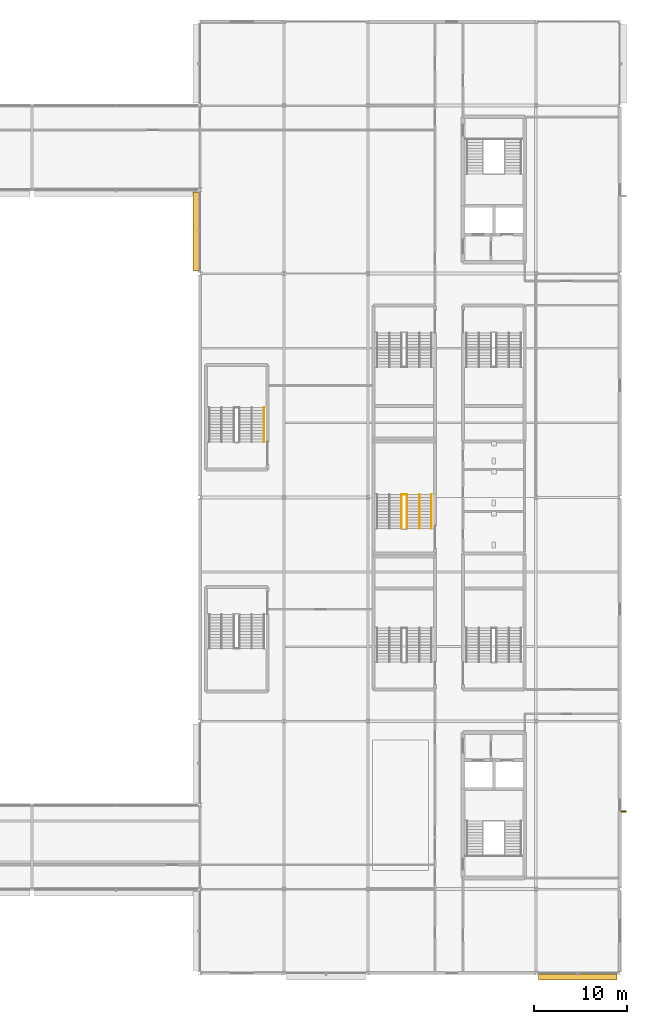
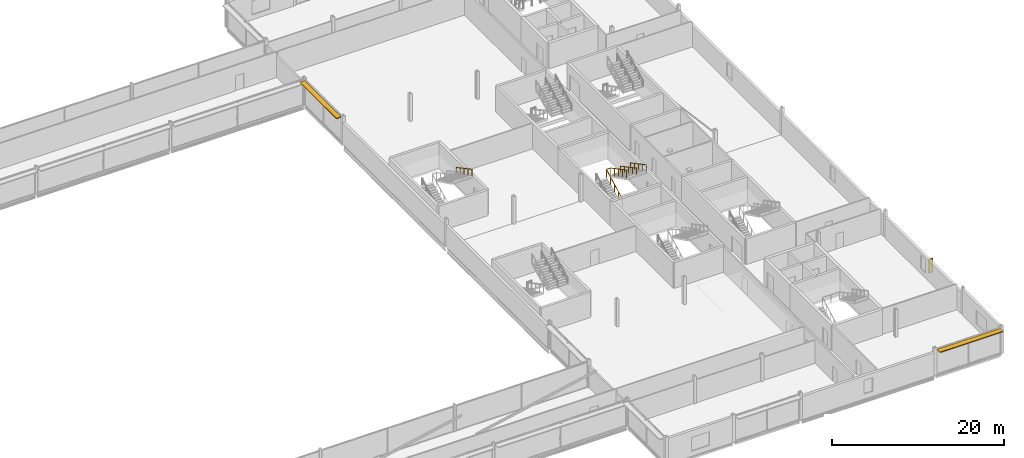
# One storey, part 95 of 98: 4 railings, 3 shading devices.
"""IFC4 building model written with IfcOpenShell, lengths in metres."""

from ifc_helpers import new_model, si_unit, direction, frame, origin, origin_2d, place, context, subcontext, project, spatial, rectangle, circle, extrude, material, type_object, element, save


model = new_model("IFC4")

# Units and contexts
model_context = context("Model", 3, precision=1e-05, world=origin(), true_north=direction((0.0, 1.0)))
body_context = subcontext(model_context, "Body", "Model", "MODEL_VIEW")
ifc_project = project(units=[si_unit("LENGTHUNIT", "METRE"), si_unit("AREAUNIT", "SQUARE_METRE"), si_unit("VOLUMEUNIT", "CUBIC_METRE"), si_unit("PLANEANGLEUNIT", "RADIAN"), si_unit("MASSUNIT", "GRAM", prefix="KILO")], contexts=[model_context])

# Site, building, storey
site_placement = place(None, origin())
site = spatial("IfcSite", under=ifc_project, at=site_placement, CompositionType="ELEMENT")
building_placement = place(site_placement, origin())
building = spatial("IfcBuilding", under=site, at=building_placement, Name="Kisiwana Market Hall", CompositionType="ELEMENT")
storey_placement = place(building_placement, frame((0.0, 0.0, 29.39990234375)))
storey = spatial("IfcBuildingStorey", under=building, at=storey_placement, Name="L06", CompositionType="ELEMENT", Elevation=29.39990234375)

# Railings
ifc_material_1 = material(Name="Steel S275", Category="steel")
railing_type_1 = type_object("IfcRailingType", Name="RL-GUARD-1100", PredefinedType="GUARDRAIL", material=ifc_material_1)
railing_placement = place(storey_placement, frame((174.6201171875, 56.639892578125, 0.0)))
element("IfcRailing", 1, at=railing_placement, inside=storey, type_object=railing_type_1, Name="Stair ST-E5-L06 inner-well guardrail (RL-1045)", PredefinedType="GUARDRAIL", context=body_context, shape_type="SweptSolid", body=[
    extrude(circle(Radius=0.02392578125, at=origin_2d()), frame((0.0, 0.0, 1.076171875), z_axis=(0.0, 0.882541897885, 0.470233770031), x_axis=(-1.0, 0.0, 0.0)), (0.0, 0.0, 1.0), 4.147216796875),
    extrude(circle(Radius=0.02392578125, at=origin_2d()), frame((0.0, 3.66015625, 3.0263671875), z_axis=(1.0, 0.0, 0.0), x_axis=(0.0, 1.0, 0.0)), (0.0, 0.0, 1.0), 0.559814453125),
    extrude(circle(Radius=0.02392578125, at=origin_2d()), frame((0.559814453125, 3.66015625, 3.0263671875), z_axis=(0.0, -0.882566327451, 0.470187917379), x_axis=(1.0, 0.0, 0.0)), (0.0, 0.0, 1.0), 4.147216796875),
    extrude(circle(Radius=0.02099609375, at=origin_2d()), origin(), (0.0, 0.0, 1.0), 1.052001953125),
    extrude(circle(Radius=0.02099609375, at=origin_2d()), frame((0.0, 0.9150390625, 0.487548828125)), (0.0, 0.0, 1.0), 1.052001953125),
    extrude(circle(Radius=0.02099609375, at=origin_2d()), frame((0.0, 1.830078125, 0.97509765625)), (0.0, 0.0, 1.0), 1.052001953125),
    extrude(circle(Radius=0.02099609375, at=origin_2d()), frame((0.0, 2.7451171875, 1.462646484375)), (0.0, 0.0, 1.0), 1.052001953125),
    extrude(circle(Radius=0.02099609375, at=origin_2d()), frame((0.0, 3.66015625, 1.9501953125)), (0.0, 0.0, 1.0), 1.052001953125),
    extrude(circle(Radius=0.02099609375, at=origin_2d()), frame((0.559814453125, 3.66015625, 1.9501953125)), (0.0, 0.0, 1.0), 1.052001953125),
    extrude(circle(Radius=0.02099609375, at=origin_2d()), frame((0.559814453125, 2.7451171875, 2.437744140625)), (0.0, 0.0, 1.0), 1.052001953125),
    extrude(circle(Radius=0.02099609375, at=origin_2d()), frame((0.559814453125, 1.830078125, 2.92529296875)), (0.0, 0.0, 1.0), 1.052001953125),
    extrude(circle(Radius=0.02099609375, at=origin_2d()), frame((0.559814453125, 0.9150390625, 3.41259765625)), (0.0, 0.0, 1.0), 1.052001953125),
    extrude(circle(Radius=0.02099609375, at=origin_2d()), frame((0.559814453125, 0.0, 3.900146484375)), (0.0, 0.0, 1.0), 1.052001953125),
])
ifc_material_2 = material(Name="Steel S275", Category="steel")
railing_type_2 = type_object("IfcRailingType", Name="RL-HAND-900", PredefinedType="HANDRAIL", material=ifc_material_2)
for number, where, name in (
    (2, (159.860107421875, 69.6201171875, 1.9501953125), "Stair ST-E10-L06 flight 2 handrail (RL-1035)"),
    (3, (177.830078125, 60.300048828125, 1.9501953125), "Stair ST-E5-L06 flight 2 handrail (RL-1047)"),
    (4, (176.510009765625, 60.300048828125, 1.9501953125), "Stair ST-E5-L06 flight 2 intermediate handrail (RL-1049)"),
):
    element("IfcRailing", number, at=place(storey_placement, frame(where)), inside=storey, type_object=railing_type_2, Name=name, PredefinedType="HANDRAIL", context=body_context, shape_type="SweptSolid", body=[
        extrude(circle(Radius=0.02392578125, at=origin_2d()), frame((0.0, 0.0, 0.8759765625), z_axis=(0.0, -0.882566327451, 0.470187917379), x_axis=(1.0, 0.0, 0.0)), (0.0, 0.0, 1.0), 4.147216796875),
        extrude(circle(Radius=0.02099609375, at=origin_2d()), origin(), (0.0, 0.0, 1.0), 0.851806640625),
        extrude(circle(Radius=0.02099609375, at=origin_2d()), frame((0.0, -0.9150390625, 0.487548828125)), (0.0, 0.0, 1.0), 0.851806640625),
        extrude(circle(Radius=0.02099609375, at=origin_2d()), frame((0.0, -1.830078125, 0.97509765625)), (0.0, 0.0, 1.0), 0.851806640625),
        extrude(circle(Radius=0.02099609375, at=origin_2d()), frame((0.0, -2.7451171875, 1.46240234375)), (0.0, 0.0, 1.0), 0.851806640625),
        extrude(circle(Radius=0.02099609375, at=origin_2d()), frame((0.0, -3.66015625, 1.949951171875)), (0.0, 0.0, 1.0), 0.851806640625),
    ])

# Shading devices
ifc_material_3 = material(Name="Aluminium alloy 6063-T6", Category="aluminium")
shading_device_type_1 = type_object("IfcShadingDeviceType", Name="SHD-JALOUSIE-H", PredefinedType="JALOUSIE", material=ifc_material_3)
shading_device_1_placement = place(storey_placement, frame((193.501220703125, 8.580078125, 3.43994140625), z_axis=(0.0, 0.0, 1.0), x_axis=(1.0, 0.0, 0.0)))
element("IfcShadingDevice", 5, at=shading_device_1_placement, inside=storey, type_object=shading_device_type_1, Name="Aluminium brise-soleil louvre SHD-129 SD-129", PredefinedType="JALOUSIE", context=body_context, shape_type="SweptSolid", body=[
    extrude(rectangle(XDim=8.427490234375, YDim=0.64990234375, at=origin_2d()), origin(), (0.0, 0.0, 1.0), 0.1201171875),
])
shading_device_2_placement = place(storey_placement, frame((152.580078125, 88.5, 3.43994140625), z_axis=(0.0, 0.0, 1.0), x_axis=(0.0, 1.0, 0.0)))
element("IfcShadingDevice", 6, at=shading_device_2_placement, inside=storey, type_object=shading_device_type_1, Name="Aluminium brise-soleil louvre SHD-151 SD-151", PredefinedType="JALOUSIE", context=body_context, shape_type="SweptSolid", body=[
    extrude(rectangle(XDim=8.43798828125, YDim=0.64990234375, at=origin_2d()), origin(), (0.0, 0.0, 1.0), 0.1201171875),
])
ifc_material_4 = material(Name="Aluminium alloy 6063-T6", Category="aluminium")
shading_device_type_2 = type_object("IfcShadingDeviceType", Name="SHD-SHUTTER-V", PredefinedType="SHUTTER", material=ifc_material_4)
shading_device_3_placement = place(storey_placement, frame((198.445068359375, 26.320068359375, 0.7001953125), z_axis=(0.0, 0.0, 1.0), x_axis=(0.0, 1.0, 0.0)))
element("IfcShadingDevice", 7, at=shading_device_3_placement, inside=storey, type_object=shading_device_type_2, Name="Vertical solar fin SHD-153 SD-153", PredefinedType="SHUTTER", context=body_context, shape_type="SweptSolid", body=[
    extrude(rectangle(XDim=0.1201171875, YDim=0.550048828125, at=origin_2d()), origin(), (0.0, 0.0, 1.0), 1.949951171875),
])

save(model, "model.ifc")
